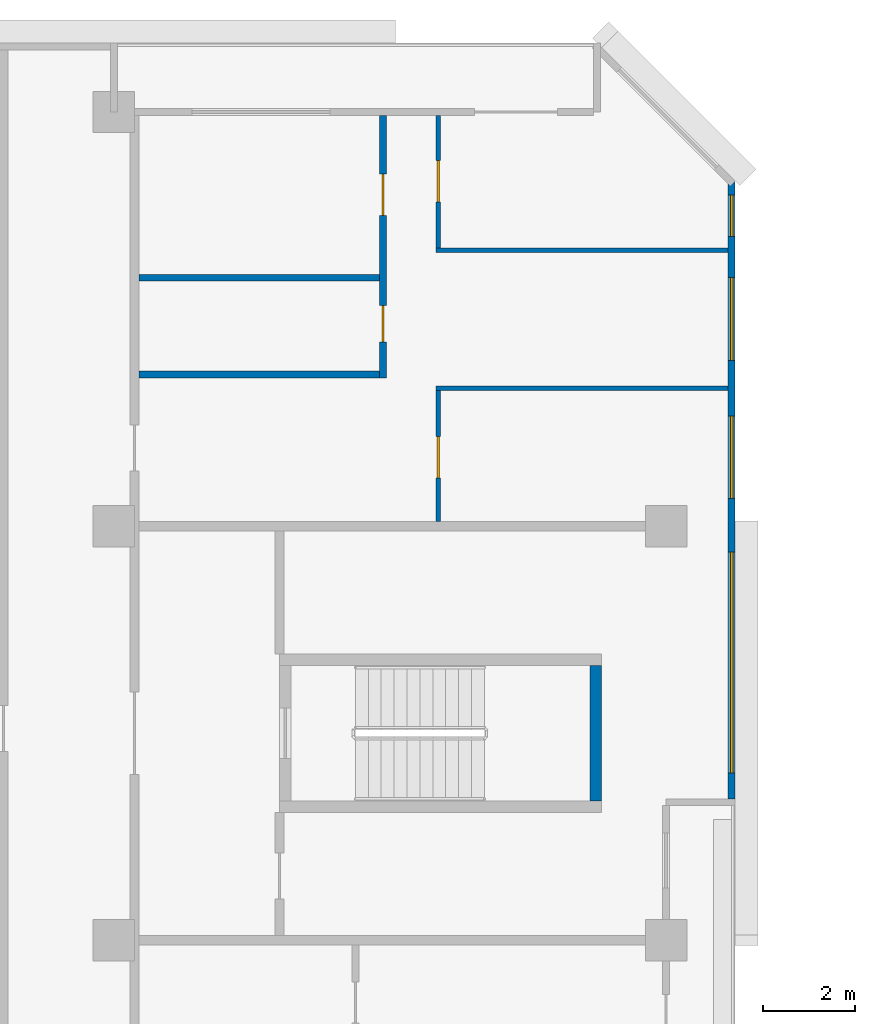
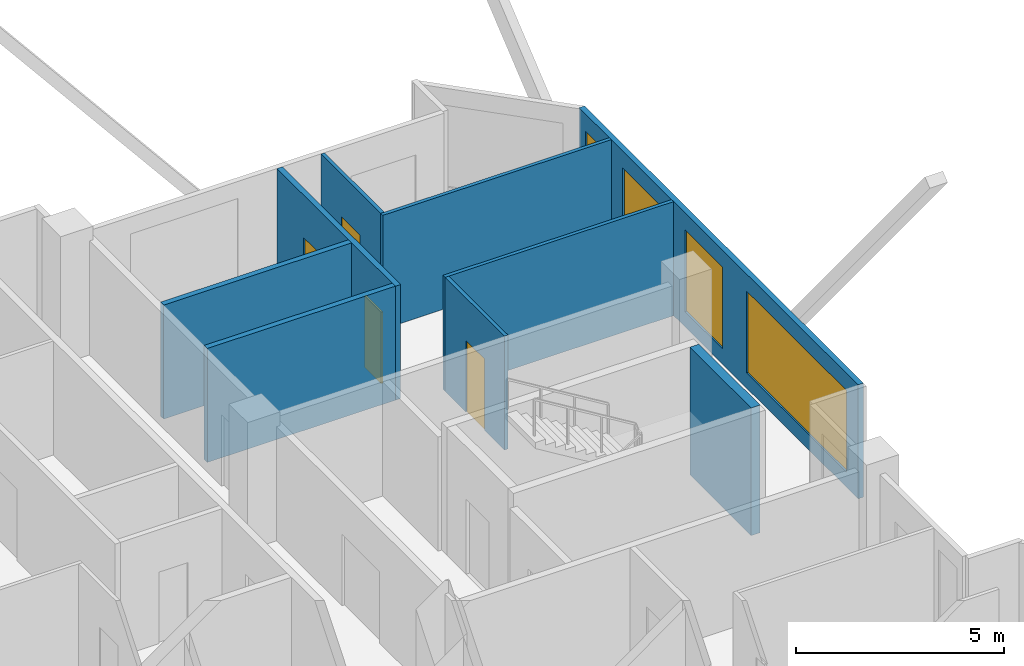
# One storey, part 11 of 15: 9 walls, 4 doors, 4 windows, 8 openings.
"""IFC4 building model written with IfcOpenShell, lengths in metres."""

from ifc_helpers import new_model, si_unit, direction, frame, frame_2d, origin, place, context, subcontext, project, spatial, rectangle, extrude, material, layer, layer_set, type_object, element, fill, save


model = new_model("IFC4")

# Units and contexts
model_context = context("Model", 3, precision=1e-05, world=origin(), true_north=direction((0.0, 1.0)))
body_context = subcontext(model_context, "Body", "Model", "MODEL_VIEW")
ifc_project = project(units=[si_unit("LENGTHUNIT", "METRE"), si_unit("AREAUNIT", "SQUARE_METRE"), si_unit("VOLUMEUNIT", "CUBIC_METRE"), si_unit("PLANEANGLEUNIT", "RADIAN"), si_unit("MASSUNIT", "GRAM", prefix="KILO")], contexts=[model_context])

# Site, building, storey
site_placement = place(None, origin())
site = spatial("IfcSite", under=ifc_project, at=site_placement, CompositionType="ELEMENT")
building_placement = place(site_placement, origin())
building = spatial("IfcBuilding", under=site, at=building_placement, Name="Chenar Terraces", CompositionType="ELEMENT")
storey_placement = place(building_placement, frame((0.0, 0.0, 194.89990234375)))
storey = spatial("IfcBuildingStorey", under=building, at=storey_placement, Name="L45", CompositionType="ELEMENT", Elevation=194.89990234375)

# Wall
ifc_material_1 = material(Name="Concrete C60/75", Category="concrete")
ifc_layer_1 = layer(ifc_material_1, 0.25)
ifc_layer_set_1 = layer_set([ifc_layer_1], Name="Concrete C60/75")
wall_type_1 = type_object("IfcWallType", Name="Core wall 250 Concrete C60/75", PredefinedType="SHEAR", material=ifc_layer_set_1)
wall_1_placement = place(storey_placement, frame((22.47509765625, 48.02490234375, 0.0), z_axis=(0.0, 0.0, 1.0), x_axis=(0.0, 1.0, 0.0)))
element("IfcWall", 1, at=wall_1_placement, inside=storey, type_object=wall_type_1, Name="Core wall ST4_E L45", PredefinedType="SHEAR", context=body_context, shape_type="SweptSolid", body=[
    extrude(rectangle(XDim=2.9501953125, YDim=0.25, at=frame_2d((1.47509765625, 0.0))), origin(), (0.0, 0.0, 1.0), 3.75),
])

# Wall, openings, windows
ifc_material_2 = material(Name="Aluminium framed glazing", Category="aluminium")
ifc_layer_2 = layer(ifc_material_2, 0.14990234375)
ifc_layer_set_2 = layer_set([ifc_layer_2], Name="Aluminium framed glazing")
wall_type_2 = type_object("IfcWallType", Name="Glazed flush facade wall 150", PredefinedType="SOLIDWALL", material=ifc_layer_set_2)
wall_2_placement = place(storey_placement, frame((25.425048828125, 48.074951171875, 0.0), z_axis=(0.0, 0.0, 1.0), x_axis=(0.0, 1.0, 0.0)))
wall_2 = element("IfcWall", 2, at=wall_2_placement, inside=storey, type_object=wall_type_2, Name="Glazed flush facade wall", PredefinedType="SOLIDWALL", context=body_context, shape_type="SweptSolid", body=[
    extrude(rectangle(XDim=13.425048828125, YDim=0.14990234375, at=frame_2d((6.71240234375, 0.0))), origin(), (0.0, 0.0, 1.0), 3.35009765625),
])
opening_1_placement = place(wall_2_placement, frame((0.5625, 0.0, 0.449951171875)))
opening_1 = element("IfcOpeningElement", 3, at=opening_1_placement, cuts=wall_2, Name="Opening W480x240", PredefinedType="OPENING", context=body_context, shape_type="SweptSolid", body=[
    extrude(rectangle(XDim=4.800048828125, YDim=2.39990234375, at=frame_2d((2.39990234375, 1.199951171875))), frame((0.0, 0.0849609375, 0.0), z_axis=(0.0, -1.0, 0.0), x_axis=(1.0, 0.0, 0.0)), (0.0, 0.0, 1.0), 0.169921875),
])
opening_2_placement = place(wall_2_placement, frame((6.52490234375, 0.0, 0.449951171875)))
opening_2 = element("IfcOpeningElement", 4, at=opening_2_placement, cuts=wall_2, Name="Opening W180x240", PredefinedType="OPENING", context=body_context, shape_type="SweptSolid", body=[
    extrude(rectangle(XDim=1.800048828125, YDim=2.39990234375, at=frame_2d((0.89990234375, 1.199951171875))), frame((0.0, 0.0849609375, 0.0), z_axis=(0.0, -1.0, 0.0), x_axis=(1.0, 0.0, 0.0)), (0.0, 0.0, 1.0), 0.169921875),
])
opening_3_placement = place(wall_2_placement, frame((9.52490234375, 0.0, 0.449951171875)))
opening_3 = element("IfcOpeningElement", 5, at=opening_3_placement, cuts=wall_2, Name="Opening W180x240", PredefinedType="OPENING", context=body_context, shape_type="SweptSolid", body=[
    extrude(rectangle(XDim=1.800048828125, YDim=2.39990234375, at=frame_2d((0.89990234375, 1.199951171875))), frame((0.0, 0.0849609375, 0.0), z_axis=(0.0, -1.0, 0.0), x_axis=(1.0, 0.0, 0.0)), (0.0, 0.0, 1.0), 0.169921875),
])
opening_4_placement = place(wall_2_placement, frame((12.22509765625, 0.0, 0.449951171875)))
opening_4 = element("IfcOpeningElement", 6, at=opening_4_placement, cuts=wall_2, Name="Opening W90x240", PredefinedType="OPENING", context=body_context, shape_type="SweptSolid", body=[
    extrude(rectangle(XDim=0.89990234375, YDim=2.39990234375, at=frame_2d((0.449951171875, 1.199951171875))), frame((0.0, 0.0849609375, 0.0), z_axis=(0.0, -1.0, 0.0), x_axis=(1.0, 0.0, 0.0)), (0.0, 0.0, 1.0), 0.169921875),
])
ifc_material_3 = material(Name="Low emissivity double glazing, aluminium frame", Category="aluminium")
window_type_1 = type_object("IfcWindowType", Name="Fixed light 1800 x 2400", PartitioningType="SINGLE_PANEL", PredefinedType="WINDOW", material=ifc_material_3)
window_1_placement = place(opening_2_placement, origin())
window_1 = element("IfcWindow", 7, at=window_1_placement, inside=storey, type_object=window_type_1, Name="Window", OverallHeight=2.39990234375, OverallWidth=1.800048828125, PartitioningType="SINGLE_PANEL", PredefinedType="WINDOW", context=body_context, shape_type="SweptSolid", body=[
    extrude(rectangle(XDim=1.800048828125, YDim=2.39990234375, at=frame_2d((0.89990234375, 1.199951171875))), frame((0.0, 0.030029296875, 0.0), z_axis=(0.0, -1.0, 0.0), x_axis=(1.0, 0.0, 0.0)), (0.0, 0.0, 1.0), 0.06005859375),
])
fill(opening_2, window_1)
window_2_placement = place(opening_3_placement, origin())
window_2 = element("IfcWindow", 8, at=window_2_placement, inside=storey, type_object=window_type_1, Name="Window", OverallHeight=2.39990234375, OverallWidth=1.800048828125, PartitioningType="SINGLE_PANEL", PredefinedType="WINDOW", context=body_context, shape_type="SweptSolid", body=[
    extrude(rectangle(XDim=1.800048828125, YDim=2.39990234375, at=frame_2d((0.89990234375, 1.199951171875))), frame((0.0, 0.030029296875, 0.0), z_axis=(0.0, -1.0, 0.0), x_axis=(1.0, 0.0, 0.0)), (0.0, 0.0, 1.0), 0.06005859375),
])
fill(opening_3, window_2)
ifc_material_4 = material(Name="Low emissivity double glazing, aluminium frame", Category="aluminium")
window_type_2 = type_object("IfcWindowType", Name="Fixed light 4800 x 2400", PartitioningType="SINGLE_PANEL", PredefinedType="WINDOW", material=ifc_material_4)
window_3_placement = place(opening_1_placement, origin())
window_3 = element("IfcWindow", 9, at=window_3_placement, inside=storey, type_object=window_type_2, Name="Window", OverallHeight=2.39990234375, OverallWidth=4.800048828125, PartitioningType="SINGLE_PANEL", PredefinedType="WINDOW", context=body_context, shape_type="SweptSolid", body=[
    extrude(rectangle(XDim=4.800048828125, YDim=2.39990234375, at=frame_2d((2.39990234375, 1.199951171875))), frame((0.0, 0.030029296875, 0.0), z_axis=(0.0, -1.0, 0.0), x_axis=(1.0, 0.0, 0.0)), (0.0, 0.0, 1.0), 0.06005859375),
])
fill(opening_1, window_3)
ifc_material_5 = material(Name="Low emissivity double glazing, aluminium frame", Category="aluminium")
window_type_3 = type_object("IfcWindowType", Name="Fixed light 900 x 2400", PartitioningType="SINGLE_PANEL", PredefinedType="WINDOW", material=ifc_material_5)
window_4_placement = place(opening_4_placement, origin())
window_4 = element("IfcWindow", 10, at=window_4_placement, inside=storey, type_object=window_type_3, Name="Window", OverallHeight=2.39990234375, OverallWidth=0.89990234375, PartitioningType="SINGLE_PANEL", PredefinedType="WINDOW", context=body_context, shape_type="SweptSolid", body=[
    extrude(rectangle(XDim=0.89990234375, YDim=2.39990234375, at=frame_2d((0.449951171875, 1.199951171875))), frame((0.0, 0.030029296875, 0.0), z_axis=(0.0, -1.0, 0.0), x_axis=(1.0, 0.0, 0.0)), (0.0, 0.0, 1.0), 0.06005859375),
])
fill(opening_4, window_4)

# Walls
ifc_material_6 = material(Name="Gypsum board on steel studs", Category="steel")
ifc_layer_3 = layer(ifc_material_6, 0.10009765625)
ifc_layer_set_3 = layer_set([ifc_layer_3], Name="Gypsum board on steel studs")
wall_type_3 = type_object("IfcWallType", Name="Gypsum partition 100", PredefinedType="PARTITIONING", material=ifc_layer_set_3)
for number, where, z_axis, x_axis, name in (
    (11, (19.0, 57.0, 0.0), (0.0, 0.0, 1.0), (1.0, 0.0, 0.0), "Partition L45-054"),
    (12, (19.0, 60.0, 0.0), (0.0, 0.0, 1.0), (1.0, 0.0, 0.0), "Partition L45-055"),
):
    element("IfcWall", number, at=place(storey_placement, frame(where, z_axis=z_axis, x_axis=x_axis)), inside=storey, type_object=wall_type_3, Name=name, PredefinedType="PARTITIONING", context=body_context, shape_type="SweptSolid", body=[
        extrude(rectangle(XDim=6.35009765625, YDim=0.10009765625, at=frame_2d((3.175048828125, 0.0))), origin(), (0.0, 0.0, 1.0), 3.35009765625),
    ])

# Wall, opening, door
wall_3_placement = place(storey_placement, frame((19.050048828125, 54.10009765625, 0.0), z_axis=(0.0, 0.0, 1.0), x_axis=(0.0, 1.0, 0.0)))
wall_3 = element("IfcWall", 13, at=wall_3_placement, inside=storey, type_object=wall_type_3, Name="Partition L45-056", PredefinedType="PARTITIONING", context=body_context, shape_type="SweptSolid", body=[
    extrude(rectangle(XDim=2.849853515625, YDim=0.10009765625, at=frame_2d((1.4248046875, 0.0))), origin(), (0.0, 0.0, 1.0), 3.35009765625),
])
opening_5_placement = place(wall_3_placement, frame((0.949951171875, 0.0, 0.0)))
opening_5 = element("IfcOpeningElement", 14, at=opening_5_placement, cuts=wall_3, Name="Opening DL45-21", PredefinedType="OPENING", context=body_context, shape_type="SweptSolid", body=[
    extrude(rectangle(XDim=0.89990234375, YDim=2.10009765625, at=frame_2d((0.449951171875, 1.050048828125))), frame((0.0, 0.06005859375, 0.0), z_axis=(0.0, -1.0, 0.0), x_axis=(1.0, 0.0, 0.0)), (0.0, 0.0, 1.0), 0.1201171875),
])
ifc_material_7 = material(Name="Veneered timber door leaf", Category="wood")
door_type_1 = type_object("IfcDoorType", Name="Door 900 x 2100", OperationType="SINGLE_SWING_LEFT", PredefinedType="DOOR", material=ifc_material_7)
door_1_placement = place(opening_5_placement, frame((0.89990234375, 0.0, 0.0), z_axis=(0.0, 0.0, 1.0), x_axis=(-1.0, 0.0, 0.0)))
door_1 = element("IfcDoor", 15, at=door_1_placement, inside=storey, type_object=door_type_1, Name="Door DL45-21", OperationType="SINGLE_SWING_LEFT", OverallHeight=2.10009765625, OverallWidth=0.89990234375, PredefinedType="DOOR", context=body_context, shape_type="SweptSolid", body=[
    extrude(rectangle(XDim=0.89990234375, YDim=2.10009765625, at=frame_2d((0.449951171875, 1.050048828125))), frame((0.0, 0.02490234375, 0.0), z_axis=(0.0, -1.0, 0.0), x_axis=(1.0, 0.0, 0.0)), (0.0, 0.0, 1.0), 0.050048828125),
])
fill(opening_5, door_1)

wall_4_placement = place(storey_placement, frame((19.050048828125, 60.050048828125, 0.0), z_axis=(0.0, 0.0, 1.0), x_axis=(0.0, 1.0, 0.0)))
wall_4 = element("IfcWall", 16, at=wall_4_placement, inside=storey, type_object=wall_type_3, Name="Partition L45-057", PredefinedType="PARTITIONING", context=body_context, shape_type="SweptSolid", body=[
    extrude(rectangle(XDim=2.8759765625, YDim=0.10009765625, at=frame_2d((1.43798828125, 0.0))), origin(), (0.0, 0.0, 1.0), 3.35009765625),
])
opening_6_placement = place(wall_4_placement, frame((1.0, 0.0, 0.0)))
opening_6 = element("IfcOpeningElement", 17, at=opening_6_placement, cuts=wall_4, Name="Opening DL45-22", PredefinedType="OPENING", context=body_context, shape_type="SweptSolid", body=[
    extrude(rectangle(XDim=0.89990234375, YDim=2.10009765625, at=frame_2d((0.449951171875, 1.050048828125))), frame((0.0, 0.06005859375, 0.0), z_axis=(0.0, -1.0, 0.0), x_axis=(1.0, 0.0, 0.0)), (0.0, 0.0, 1.0), 0.1201171875),
])
door_2_placement = place(opening_6_placement, frame((0.89990234375, 0.0, 0.0), z_axis=(0.0, 0.0, 1.0), x_axis=(-1.0, 0.0, 0.0)))
door_2 = element("IfcDoor", 18, at=door_2_placement, inside=storey, type_object=door_type_1, Name="Door DL45-22", OperationType="SINGLE_SWING_LEFT", OverallHeight=2.10009765625, OverallWidth=0.89990234375, PredefinedType="DOOR", context=body_context, shape_type="SweptSolid", body=[
    extrude(rectangle(XDim=0.89990234375, YDim=2.10009765625, at=frame_2d((0.449951171875, 1.050048828125))), frame((0.0, 0.02490234375, 0.0), z_axis=(0.0, -1.0, 0.0), x_axis=(1.0, 0.0, 0.0)), (0.0, 0.0, 1.0), 0.050048828125),
])
fill(opening_6, door_2)

# Walls
ifc_material_8 = material(Name="Moisture-resistant gypsum board on steel studs", Category="steel")
ifc_layer_4 = layer(ifc_material_8, 0.14990234375)
ifc_layer_set_4 = layer_set([ifc_layer_4], Name="Moisture-resistant gypsum board on steel studs")
wall_type_4 = type_object("IfcWallType", Name="Wet-room partition 150", PredefinedType="PARTITIONING", material=ifc_layer_set_4)
for number, where, z_axis, x_axis, name in (
    (19, (12.550048828125, 57.300048828125, 0.0), (0.0, 0.0, 1.0), (1.0, 0.0, 0.0), "Partition L45-044"),
    (20, (12.550048828125, 59.39990234375, 0.0), (0.0, 0.0, 1.0), (1.0, 0.0, 0.0), "Partition L45-045"),
):
    element("IfcWall", number, at=place(storey_placement, frame(where, z_axis=z_axis, x_axis=x_axis)), inside=storey, type_object=wall_type_4, Name=name, PredefinedType="PARTITIONING", context=body_context, shape_type="SweptSolid", body=[
        extrude(rectangle(XDim=5.224853515625, YDim=0.14990234375, at=frame_2d((2.6123046875, 0.0))), origin(), (0.0, 0.0, 1.0), 3.35009765625),
    ])

# Wall, openings, doors
wall_5_placement = place(storey_placement, frame((17.85009765625, 57.22509765625, 0.0), z_axis=(0.0, 0.0, 1.0), x_axis=(0.0, 1.0, 0.0)))
wall_5 = element("IfcWall", 21, at=wall_5_placement, inside=storey, type_object=wall_type_4, Name="Partition L45-050", PredefinedType="PARTITIONING", context=body_context, shape_type="SweptSolid", body=[
    extrude(rectangle(XDim=5.700927734375, YDim=0.14990234375, at=frame_2d((2.8505859375, 0.0))), origin(), (0.0, 0.0, 1.0), 3.35009765625),
])
opening_7_placement = place(wall_5_placement, frame((0.77490234375, 0.0, 0.0)))
opening_7 = element("IfcOpeningElement", 22, at=opening_7_placement, cuts=wall_5, Name="Opening DL45-20", PredefinedType="OPENING", context=body_context, shape_type="SweptSolid", body=[
    extrude(rectangle(XDim=0.800048828125, YDim=2.10009765625, at=frame_2d((0.39990234375, 1.050048828125))), frame((0.0, 0.0849609375, 0.0), z_axis=(0.0, -1.0, 0.0), x_axis=(1.0, 0.0, 0.0)), (0.0, 0.0, 1.0), 0.169921875),
])
opening_8_placement = place(wall_5_placement, frame((3.52490234375, 0.0, 0.0)))
opening_8 = element("IfcOpeningElement", 23, at=opening_8_placement, cuts=wall_5, Name="Opening DL45-23", PredefinedType="OPENING", context=body_context, shape_type="SweptSolid", body=[
    extrude(rectangle(XDim=0.89990234375, YDim=2.10009765625, at=frame_2d((0.449951171875, 1.050048828125))), frame((0.0, 0.0849609375, 0.0), z_axis=(0.0, -1.0, 0.0), x_axis=(1.0, 0.0, 0.0)), (0.0, 0.0, 1.0), 0.169921875),
])
ifc_material_9 = material(Name="Veneered timber door leaf", Category="wood")
door_type_2 = type_object("IfcDoorType", Name="Door 800 x 2100", OperationType="SINGLE_SWING_LEFT", PredefinedType="DOOR", material=ifc_material_9)
door_3_placement = place(opening_7_placement, origin())
door_3 = element("IfcDoor", 24, at=door_3_placement, inside=storey, type_object=door_type_2, Name="Door DL45-20", OperationType="SINGLE_SWING_RIGHT", OverallHeight=2.10009765625, OverallWidth=0.800048828125, PredefinedType="DOOR", context=body_context, shape_type="SweptSolid", body=[
    extrude(rectangle(XDim=0.800048828125, YDim=2.10009765625, at=frame_2d((0.39990234375, 1.050048828125))), frame((0.0, 0.02490234375, 0.0), z_axis=(0.0, -1.0, 0.0), x_axis=(1.0, 0.0, 0.0)), (0.0, 0.0, 1.0), 0.050048828125),
])
fill(opening_7, door_3)
door_4_placement = place(opening_8_placement, origin())
door_4 = element("IfcDoor", 25, at=door_4_placement, inside=storey, type_object=door_type_1, Name="Door DL45-23", OperationType="SINGLE_SWING_LEFT", OverallHeight=2.10009765625, OverallWidth=0.89990234375, PredefinedType="DOOR", context=body_context, shape_type="SweptSolid", body=[
    extrude(rectangle(XDim=0.89990234375, YDim=2.10009765625, at=frame_2d((0.449951171875, 1.050048828125))), frame((0.0, 0.02490234375, 0.0), z_axis=(0.0, -1.0, 0.0), x_axis=(1.0, 0.0, 0.0)), (0.0, 0.0, 1.0), 0.050048828125),
])
fill(opening_8, door_4)

save(model, "model.ifc")
